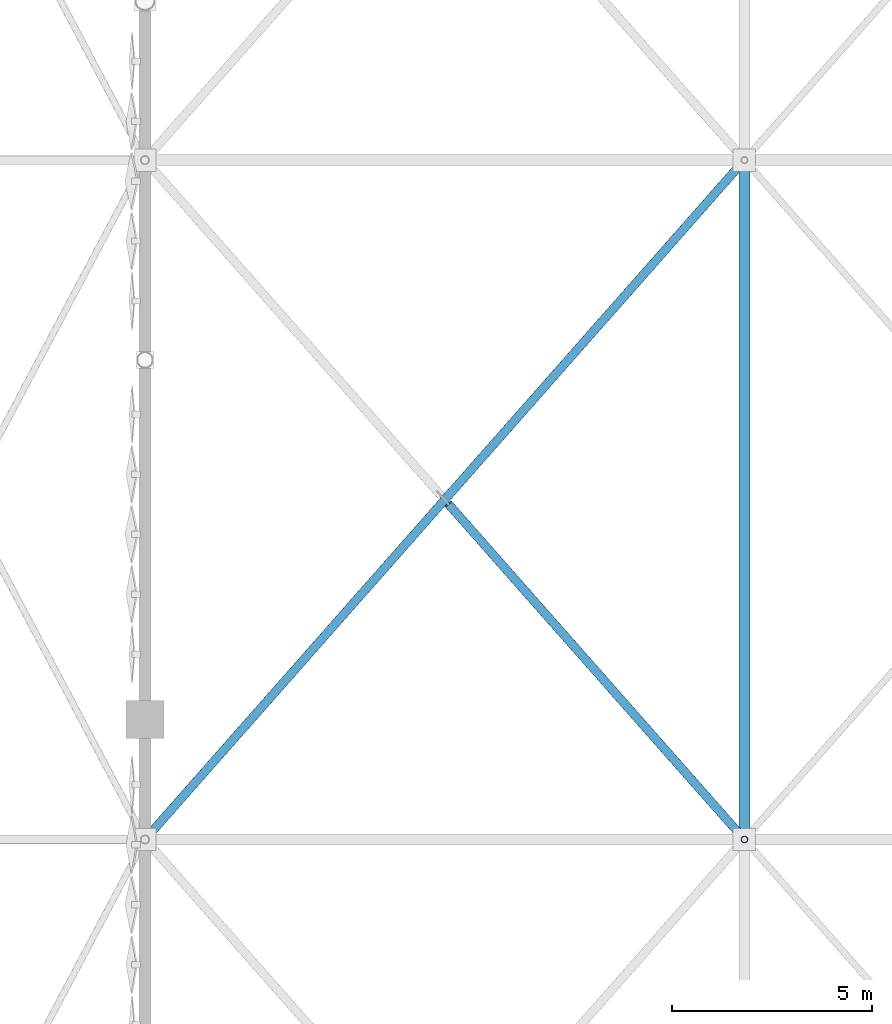
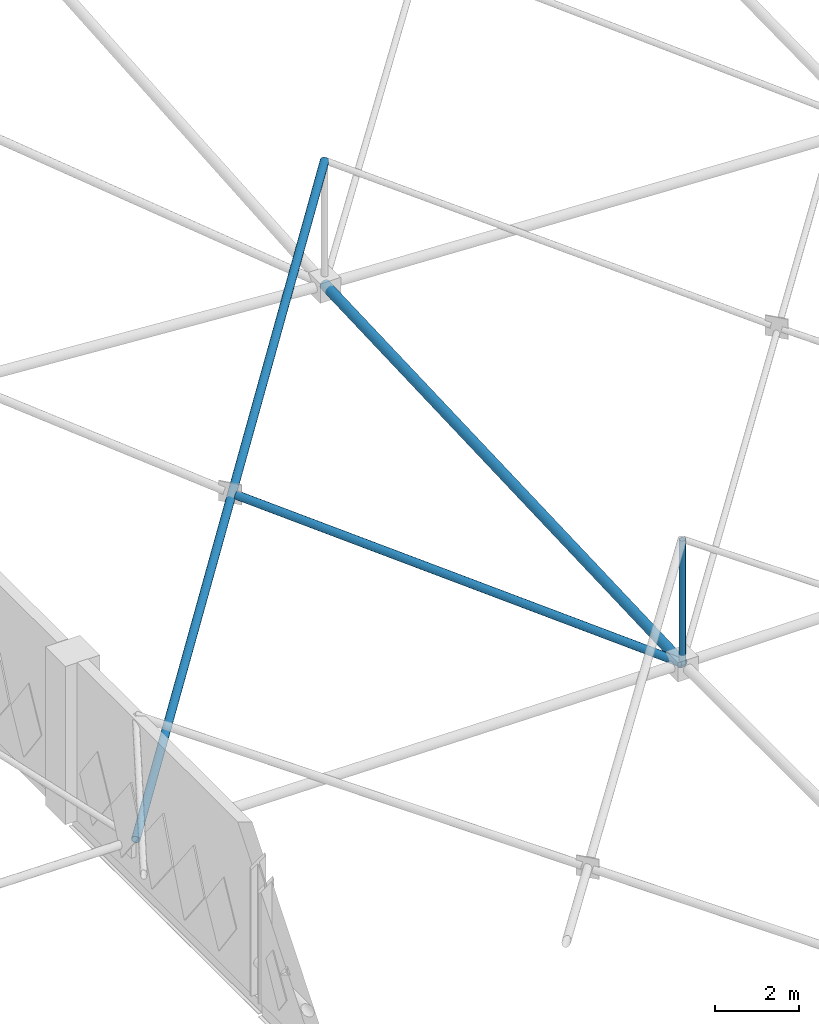
# One storey, part 70 of 224: 4 members.
"""IFC4 building model written with IfcOpenShell, lengths in metres."""

from ifc_helpers import new_model, si_unit, direction, frame, origin, origin_2d, place, context, subcontext, project, spatial, hollow_circle, extrude, material, material_profile, profile_set, type_object, element, save


model = new_model("IFC4")

# Units and contexts
model_context = context("Model", 3, precision=1e-05, world=origin(), true_north=direction((0.0, 1.0)))
body_context = subcontext(model_context, "Body", "Model", "MODEL_VIEW")
ifc_project = project(units=[si_unit("LENGTHUNIT", "METRE"), si_unit("AREAUNIT", "SQUARE_METRE"), si_unit("VOLUMEUNIT", "CUBIC_METRE"), si_unit("PLANEANGLEUNIT", "RADIAN"), si_unit("MASSUNIT", "GRAM", prefix="KILO")], contexts=[model_context])

# Site, building, storey
site_placement = place(None, origin())
site = spatial("IfcSite", under=ifc_project, at=site_placement, CompositionType="ELEMENT")
building_placement = place(site_placement, origin())
building = spatial("IfcBuilding", under=site, at=building_placement, Name="Qamarlyn Nura Convention Centre", CompositionType="ELEMENT")
storey_placement = place(building_placement, frame((0.0, 0.0, 10.800048828125)))
storey = spatial("IfcBuildingStorey", under=building, at=storey_placement, Name="L02", CompositionType="ELEMENT", Elevation=10.800048828125)

# Members
ifc_material = material(Name="Pearl-white PVDF steel ASTM A500 Grade C", Category="steel")
ifc_material_profile_1 = material_profile(ifc_material, hollow_circle(Radius=0.136474609375, WallThickness=0.012451171875, at=origin_2d()), Name="CHS273X12.5")
ifc_profile_set_1 = profile_set([ifc_material_profile_1], Name="Pearl-white PVDF steel ASTM A500 Grade C")
member_type_1 = type_object("IfcMemberType", Name="SF-BC-MAIN", PredefinedType="CHORD", material=ifc_profile_set_1)
member_1_placement = place(storey_placement, frame((15.0, 69.0, 0.80126953125), z_axis=(0.0, 0.999202837298, 0.039921046263), x_axis=(-1.0, 0.0, 0.0)))
element("IfcMember", 1, at=member_1_placement, inside=storey, type_object=member_type_1, Name="ROOF TRUSS space frame bottom chord Y3-5", PredefinedType="CHORD", context=body_context, shape_type="SweptSolid", body=[
    extrude(hollow_circle(Radius=0.136474609375, WallThickness=0.012451171875, at=origin_2d()), origin(), (0.0, 0.0, 1.0), 17.013671875),
])
ifc_material_profile_2 = material_profile(ifc_material, hollow_circle(Radius=0.109619140625, WallThickness=0.010009765625, at=origin_2d()), Name="CHS219.1X10")
ifc_profile_set_2 = profile_set([ifc_material_profile_2], Name="Pearl-white PVDF steel ASTM A500 Grade C")
member_type_2 = type_object("IfcMemberType", Name="SF-WEB-HVY", PredefinedType="BRACE", material=ifc_profile_set_2)
member_2_placement = place(storey_placement, frame((0.0, 69.0, 0.937255859375), z_axis=(0.65084220405, 0.73762116459, 0.179776091226), x_axis=(-0.749837855365, 0.661621637087, 0.0)))
element("IfcMember", 2, at=member_2_placement, inside=storey, type_object=member_type_2, Name="ROOF TRUSS space frame diagonal A 2-5", PredefinedType="BRACE", context=body_context, shape_type="SweptSolid", body=[
    extrude(hollow_circle(Radius=0.109619140625, WallThickness=0.010009765625, at=origin_2d()), origin(), (0.0, 0.0, 1.0), 23.047119140625),
])
member_3_placement = place(storey_placement, frame((15.0, 69.0, 0.80126953125), z_axis=(-0.647030085809, 0.73328370932, 0.208918811272), x_axis=(-0.749830221322, -0.661630288902, 0.0)))
element("IfcMember", 3, at=member_3_placement, inside=storey, type_object=member_type_2, Name="ROOF TRUSS space frame split diagonal B1 2-5", PredefinedType="BRACE", context=body_context, shape_type="SweptSolid", body=[
    extrude(hollow_circle(Radius=0.109619140625, WallThickness=0.010009765625, at=origin_2d()), origin(), (0.0, 0.0, 1.0), 11.4521484375),
])
ifc_material_profile_3 = material_profile(ifc_material, hollow_circle(Radius=0.084228515625, WallThickness=0.008056640625, at=origin_2d()), Name="CHS168.3X8")
ifc_profile_set_3 = profile_set([ifc_material_profile_3], Name="Pearl-white PVDF steel ASTM A500 Grade C")
member_type_3 = type_object("IfcMemberType", Name="SF-WEB-STD", PredefinedType="BRACE", material=ifc_profile_set_3)
member_4_placement = place(storey_placement, frame((15.0, 69.0, 0.80126953125), z_axis=(0.0, 0.0, 1.0), x_axis=(1.0, 0.0, 0.0)))
element("IfcMember", 4, at=member_4_placement, inside=storey, type_object=member_type_3, Name="ROOF TRUSS space frame vertical 3-5", PredefinedType="BRACE", context=body_context, shape_type="SweptSolid", body=[
    extrude(hollow_circle(Radius=0.084228515625, WallThickness=0.008056640625, at=origin_2d()), origin(), (0.0, 0.0, 1.0), 3.60009765625),
])

save(model, "model.ifc")
